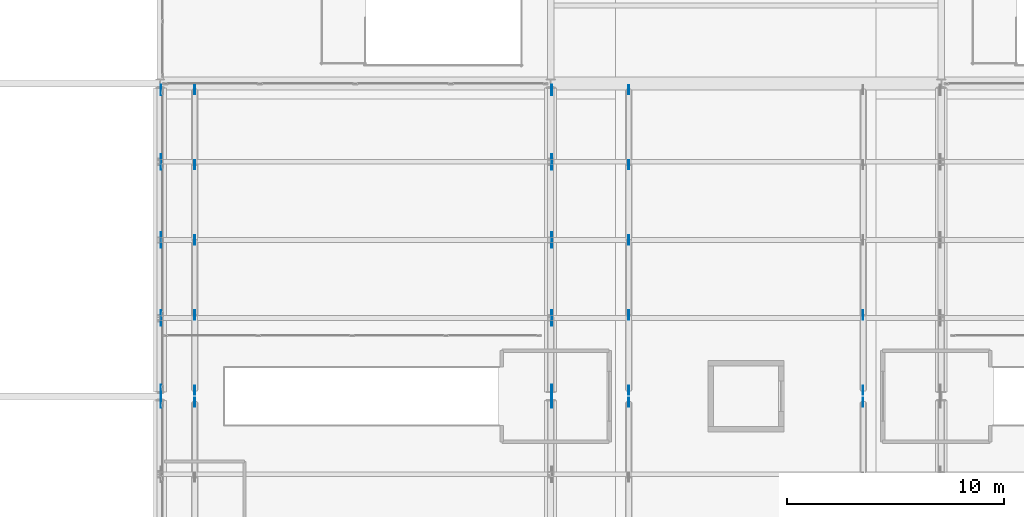
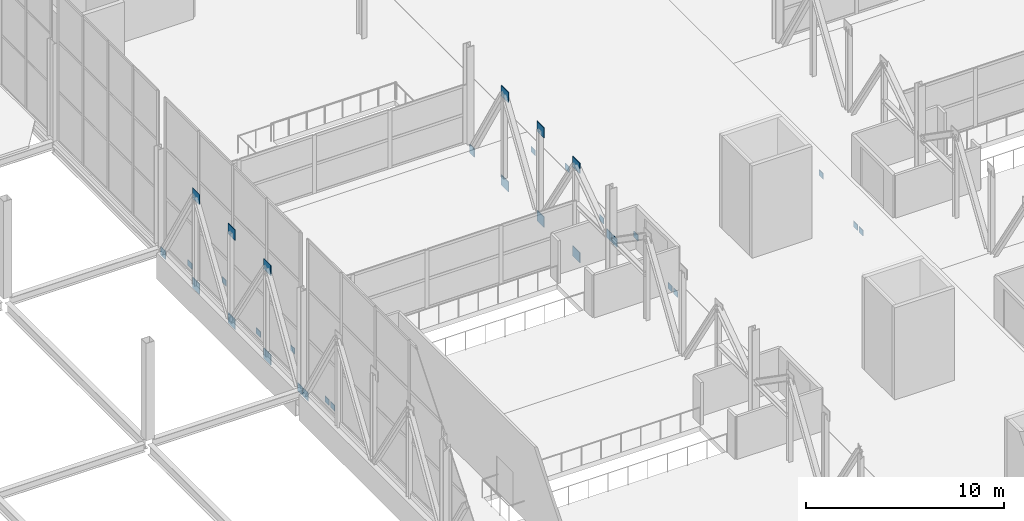
# One storey, part 164 of 191: 33 plates.
"""IFC4 building model written with IfcOpenShell, lengths in metres."""

from ifc_helpers import new_model, si_unit, direction, frame, origin, origin_2d, place, context, subcontext, project, spatial, rectangle, extrude, material, layer, layer_set, type_object, element, save


model = new_model("IFC4")

# Units and contexts
model_context = context("Model", 3, precision=1e-05, world=origin(), true_north=direction((0.0, 1.0)))
body_context = subcontext(model_context, "Body", "Model", "MODEL_VIEW")
ifc_project = project(units=[si_unit("LENGTHUNIT", "METRE"), si_unit("AREAUNIT", "SQUARE_METRE"), si_unit("VOLUMEUNIT", "CUBIC_METRE"), si_unit("PLANEANGLEUNIT", "RADIAN"), si_unit("MASSUNIT", "GRAM", prefix="KILO")], contexts=[model_context])

# Site, building, storey
site_placement = place(None, origin())
site = spatial("IfcSite", under=ifc_project, at=site_placement, CompositionType="ELEMENT")
building_placement = place(site_placement, origin())
building = spatial("IfcBuilding", under=site, at=building_placement, Name="Tamarisk Ironworks Central Station", CompositionType="ELEMENT")
storey_placement = place(building_placement, frame((0.0, 0.0, 6.60009765625)))
storey = spatial("IfcBuildingStorey", under=building, at=storey_placement, Name="L01", CompositionType="ELEMENT", Elevation=6.60009765625)

# Plates
ifc_material_1 = material(Name="Structural steel S355J2H", Category="steel")
ifc_layer_1 = layer(ifc_material_1, 0.02587890625)
ifc_layer_set_1 = layer_set([ifc_layer_1], Name="Structural steel S355J2H")
plate_type_1 = type_object("IfcPlateType", Name="PL-ND26", PredefinedType="SHEET", material=ifc_layer_set_1)
for number, where, z_axis, x_axis, name in (
    (1, (55.60009765625, 64.52001953125, -1.8203125), (0.0, 0.0, 1.0), (1.0, 0.0, 0.0), "Bridge deck stiffening brace gusset plate 143"),
    (2, (55.60009765625, 65.080078125, -1.8203125), (0.0, 0.0, 1.0), (1.0, 0.0, 0.0), "Bridge deck stiffening brace gusset plate 144"),
    (3, (55.60009765625, 68.5400390625, -0.76025390625), (0.0, 0.0, 1.0), (1.0, 0.0, 0.0), "Bridge deck stiffening brace gusset plate 145"),
    (4, (55.60009765625, 72.0, -1.8203125), (0.0, 0.0, 1.0), (1.0, 0.0, 0.0), "Bridge deck stiffening brace gusset plate 146"),
    (5, (55.60009765625, 75.4599609375, -0.76025390625), (0.0, 0.0, 1.0), (1.0, 0.0, 0.0), "Bridge deck stiffening brace gusset plate 147"),
    (6, (55.60009765625, 78.919921875, -1.8203125), (0.0, 0.0, 1.0), (1.0, 0.0, 0.0), "Bridge deck stiffening brace gusset plate 148"),
    (7, (75.60009765625, 64.52001953125, -1.8203125), (0.0, 0.0, 1.0), (1.0, 0.0, 0.0), "Bridge deck stiffening brace gusset plate 163"),
    (8, (75.60009765625, 65.080078125, -1.8203125), (0.0, 0.0, 1.0), (1.0, 0.0, 0.0), "Bridge deck stiffening brace gusset plate 164"),
    (9, (75.60009765625, 68.5400390625, -0.76025390625), (0.0, 0.0, 1.0), (1.0, 0.0, 0.0), "Bridge deck stiffening brace gusset plate 165"),
    (10, (75.60009765625, 72.0, -1.8203125), (0.0, 0.0, 1.0), (1.0, 0.0, 0.0), "Bridge deck stiffening brace gusset plate 166"),
    (11, (75.60009765625, 75.4599609375, -0.76025390625), (0.0, 0.0, 1.0), (1.0, 0.0, 0.0), "Bridge deck stiffening brace gusset plate 167"),
    (12, (75.60009765625, 78.919921875, -1.8203125), (0.0, 0.0, 1.0), (1.0, 0.0, 0.0), "Bridge deck stiffening brace gusset plate 168"),
    (13, (86.39990234375, 64.52001953125, -1.8203125), (0.0, 0.0, 1.0), (1.0, 0.0, 0.0), "Bridge deck stiffening brace gusset plate 183"),
    (14, (86.39990234375, 65.080078125, -1.8203125), (0.0, 0.0, 1.0), (1.0, 0.0, 0.0), "Bridge deck stiffening brace gusset plate 184"),
    (15, (86.39990234375, 68.5400390625, -0.76025390625), (0.0, 0.0, 1.0), (1.0, 0.0, 0.0), "Bridge deck stiffening brace gusset plate 185"),
):
    element("IfcPlate", number, at=place(storey_placement, frame(where, z_axis=z_axis, x_axis=x_axis)), inside=storey, type_object=plate_type_1, Name=name, PredefinedType="SHEET", context=body_context, shape_type="SweptSolid", body=[
        extrude(rectangle(XDim=0.02587890625, YDim=0.419921875, at=origin_2d()), origin(), (0.0, 0.0, 1.0), 0.360107421875),
    ])
ifc_material_2 = material(Name="Structural steel S355J2", Category="steel")
ifc_layer_2 = layer(ifc_material_2, 0.0380859375)
ifc_layer_set_2 = layer_set([ifc_layer_2], Name="Structural steel S355J2")
plate_type_2 = type_object("IfcPlateType", Name="PL-ND38", PredefinedType="SHEET", material=ifc_layer_set_2)
plate_placement = place(storey_placement, frame((54.044921875, 64.52001953125, -0.64013671875), z_axis=(0.0, 0.0, 1.0), x_axis=(1.0, 0.0, 0.0)))
element("IfcPlate", 16, at=plate_placement, inside=storey, type_object=plate_type_2, Name="Transfer truss end gusset node plate 024", PredefinedType="SHEET", context=body_context, shape_type="SweptSolid", body=[
    extrude(rectangle(XDim=0.0380859375, YDim=0.47998046875, at=origin_2d()), origin(), (0.0, 0.0, 1.0), 0.52001953125),
])
for number, where, z_axis, x_axis, name in (
    (17, (54.044921875, 68.39990234375, -0.7001953125), (0.0, 0.0, 1.0), (1.0, 0.0, 0.0), "Transfer truss gusset node plate 025"),
    (18, (54.044921875, 68.39990234375, 4.7998046875), (0.0, 0.0, 1.0), (1.0, 0.0, 0.0), "Transfer truss gusset node plate 026"),
    (19, (54.044921875, 72.0, -0.7001953125), (0.0, 0.0, 1.0), (1.0, 0.0, 0.0), "Transfer truss gusset node plate 027"),
    (20, (54.044921875, 72.0, 4.7998046875), (0.0, 0.0, 1.0), (1.0, 0.0, 0.0), "Transfer truss gusset node plate 028"),
    (21, (54.044921875, 75.60009765625, -0.7001953125), (0.0, 0.0, 1.0), (1.0, 0.0, 0.0), "Transfer truss gusset node plate 029"),
    (22, (54.044921875, 75.60009765625, 4.7998046875), (0.0, 0.0, 1.0), (1.0, 0.0, 0.0), "Transfer truss gusset node plate 030"),
):
    element("IfcPlate", number, at=place(storey_placement, frame(where, z_axis=z_axis, x_axis=x_axis)), inside=storey, type_object=plate_type_2, Name=name, PredefinedType="SHEET", context=body_context, shape_type="SweptSolid", body=[
        extrude(rectangle(XDim=0.0380859375, YDim=0.719970703125, at=origin_2d()), origin(), (0.0, 0.0, 1.0), 0.639892578125),
    ])
for number, where, z_axis, x_axis, name in (
    (23, (54.044921875, 65.080078125, -0.64013671875), (0.0, 0.0, 1.0), (1.0, 0.0, 0.0), "Transfer truss end gusset node plate 031"),
    (24, (54.044921875, 78.919921875, -0.64013671875), (0.0, 0.0, 1.0), (1.0, 0.0, 0.0), "Transfer truss end gusset node plate 032"),
    (25, (72.044921875, 64.52001953125, 2.539794921875), (0.0, 0.0, 1.0), (1.0, 0.0, 0.0), "Transfer truss end gusset node plate 056"),
):
    element("IfcPlate", number, at=place(storey_placement, frame(where, z_axis=z_axis, x_axis=x_axis)), inside=storey, type_object=plate_type_2, Name=name, PredefinedType="SHEET", context=body_context, shape_type="SweptSolid", body=[
        extrude(rectangle(XDim=0.0380859375, YDim=0.47998046875, at=origin_2d()), origin(), (0.0, 0.0, 1.0), 0.52001953125),
    ])
for number, where, z_axis, x_axis, name in (
    (26, (72.044921875, 68.39990234375, -0.7001953125), (0.0, 0.0, 1.0), (1.0, 0.0, 0.0), "Transfer truss gusset node plate 057"),
    (27, (72.044921875, 68.39990234375, 4.7998046875), (0.0, 0.0, 1.0), (1.0, 0.0, 0.0), "Transfer truss gusset node plate 058"),
    (28, (72.044921875, 72.0, -0.7001953125), (0.0, 0.0, 1.0), (1.0, 0.0, 0.0), "Transfer truss gusset node plate 059"),
    (29, (72.044921875, 72.0, 4.7998046875), (0.0, 0.0, 1.0), (1.0, 0.0, 0.0), "Transfer truss gusset node plate 060"),
    (30, (72.044921875, 75.60009765625, -0.7001953125), (0.0, 0.0, 1.0), (1.0, 0.0, 0.0), "Transfer truss gusset node plate 061"),
    (31, (72.044921875, 75.60009765625, 4.7998046875), (0.0, 0.0, 1.0), (1.0, 0.0, 0.0), "Transfer truss gusset node plate 062"),
):
    element("IfcPlate", number, at=place(storey_placement, frame(where, z_axis=z_axis, x_axis=x_axis)), inside=storey, type_object=plate_type_2, Name=name, PredefinedType="SHEET", context=body_context, shape_type="SweptSolid", body=[
        extrude(rectangle(XDim=0.0380859375, YDim=0.719970703125, at=origin_2d()), origin(), (0.0, 0.0, 1.0), 0.639892578125),
    ])
for number, where, z_axis, x_axis, name in (
    (32, (72.044921875, 65.080078125, 2.539794921875), (0.0, 0.0, 1.0), (1.0, 0.0, 0.0), "Transfer truss end gusset node plate 063"),
    (33, (72.044921875, 78.919921875, -0.64013671875), (0.0, 0.0, 1.0), (1.0, 0.0, 0.0), "Transfer truss end gusset node plate 064"),
):
    element("IfcPlate", number, at=place(storey_placement, frame(where, z_axis=z_axis, x_axis=x_axis)), inside=storey, type_object=plate_type_2, Name=name, PredefinedType="SHEET", context=body_context, shape_type="SweptSolid", body=[
        extrude(rectangle(XDim=0.0380859375, YDim=0.47998046875, at=origin_2d()), origin(), (0.0, 0.0, 1.0), 0.52001953125),
    ])

save(model, "model.ifc")
